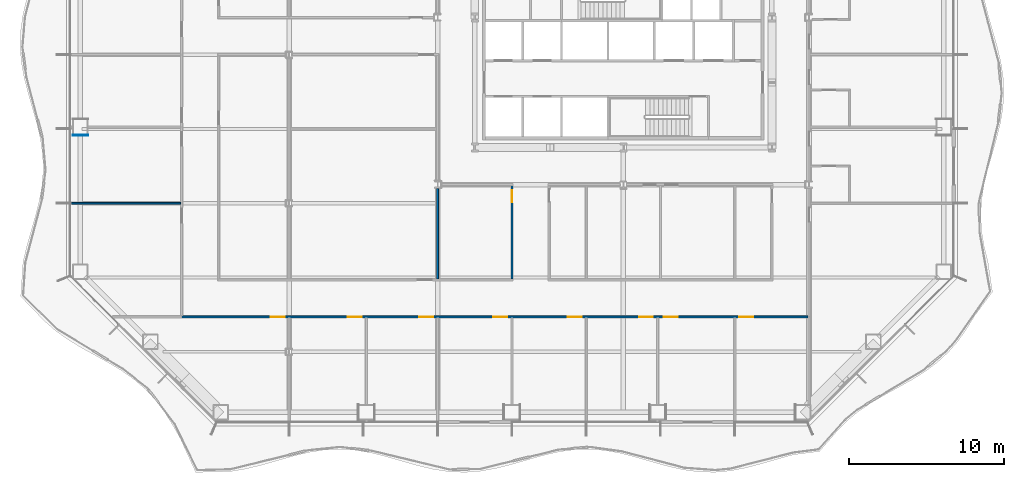
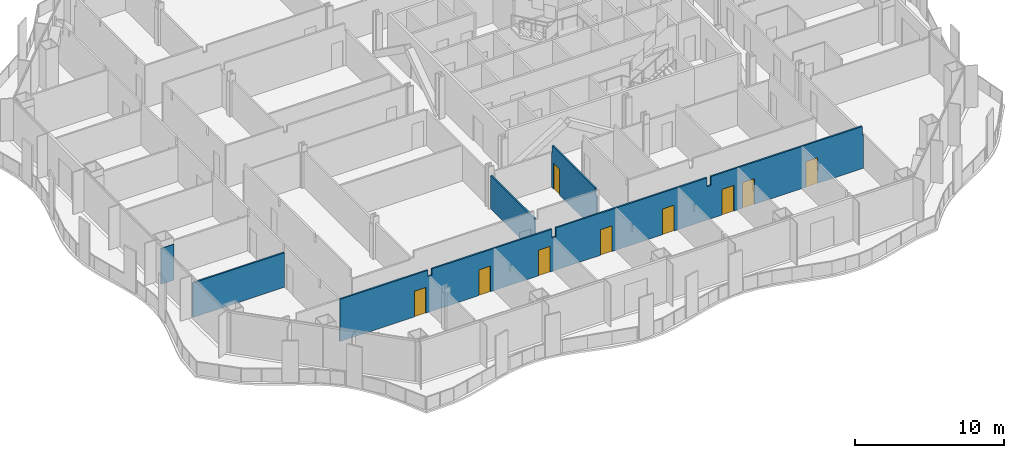
# One storey, part 7 of 20: 9 doors, 5 walls, 9 openings.
"""IFC4 building model written with IfcOpenShell, lengths in metres."""

import ifcopenshell
import ifcopenshell.guid

model = None  # the IFC model being written
_history = None  # IfcOwnerHistory: only IFC2X3 demands one
_inside = {}  # id of a spatial element -> (the spatial element, [elements in it])
_under = {}  # id of a project, library or spatial element -> (it, [spatial elements below it])
_declared = {}  # id of a project -> (the project, [libraries it declares])
_typed = {}  # id of a type object -> (the type object, [elements of that type])
_made_of = {}  # id of a material, layer set ... -> (it, [elements and type objects made of it])


def new_model(schema):
    """Start an empty IFC model of exactly this schema.

    Asked for "IFC4X3", IfcOpenShell would pick the latest addendum, in which some entities
    have other attributes; the version numbers below select the first issue.
    IFC2X3 requires an IfcOwnerHistory on every rooted entity: one is made here for all.
    """
    global model, _history
    if schema == "IFC4X3":
        model = ifcopenshell.file(schema_version=(4, 3, 0, 0))
    else:
        model = ifcopenshell.file(schema=schema)
    _inside.clear()
    _under.clear()
    _declared.clear()
    _typed.clear()
    _made_of.clear()
    _history = None
    if model.schema == "IFC2X3":
        org = make("IfcOrganization", Name="unknown")
        user = make(
            "IfcPersonAndOrganization",
            ThePerson=make("IfcPerson", FamilyName="unknown"),
            TheOrganization=org,
        )
        app = make(
            "IfcApplication",
            ApplicationDeveloper=org,
            Version="unknown",
            ApplicationFullName="unknown",
            ApplicationIdentifier="unknown",
        )
        _history = make(
            "IfcOwnerHistory",
            OwningUser=user,
            OwningApplication=app,
            ChangeAction="ADDED",
            CreationDate=0,
        )
    return model


def make(cls, **values):
    """One entity of the class cls with the attributes given. An attribute that is None is left unset."""
    return model.create_entity(
        cls, **{name: value for name, value in values.items() if value is not None}
    )


def rooted(cls, **values):
    """An entity with a GlobalId (a new one), such as an element, a storey or a relation."""
    return make(cls, GlobalId=ifcopenshell.guid.new(), OwnerHistory=_history, **values)


def si_unit(unit_type, name, prefix=None):
    """IfcSIUnit, for example si_unit("LENGTHUNIT", "METRE", prefix="MILLI")."""
    return make("IfcSIUnit", UnitType=unit_type, Prefix=prefix, Name=name)


def assignment(units):
    """IfcUnitAssignment: the units of a project."""
    return None if units is None else make("IfcUnitAssignment", Units=units)


def point(xyz):
    """IfcCartesianPoint."""
    return None if xyz is None else make("IfcCartesianPoint", Coordinates=xyz)


def direction(xyz):
    """IfcDirection."""
    return None if xyz is None else make("IfcDirection", DirectionRatios=xyz)


def frame(location, z_axis=None, x_axis=None):
    """IfcAxis2Placement3D, a coordinate frame: its origin and axes. An axis left out is left unset."""
    return make(
        "IfcAxis2Placement3D",
        Location=point(location),
        Axis=direction(z_axis),
        RefDirection=direction(x_axis),
    )


def frame_2d(location, x_axis=None):
    """IfcAxis2Placement2D, a coordinate frame in the plane: its origin and x axis."""
    return make(
        "IfcAxis2Placement2D", Location=point(location), RefDirection=direction(x_axis)
    )


def origin():
    """The frame at (0, 0, 0) with its axes left unset."""
    return frame((0.0, 0.0, 0.0))


def place(relative_to, where):
    """IfcLocalPlacement: puts the frame where relative to a parent placement (None: the world)."""
    return make(
        "IfcLocalPlacement", PlacementRelTo=relative_to, RelativePlacement=where
    )


def context(
    kind, dimensions, precision=None, world=None, true_north=None, identifier=None
):
    """IfcGeometricRepresentationContext, for example the 3D "Model" context."""
    return make(
        "IfcGeometricRepresentationContext",
        ContextIdentifier=identifier,
        ContextType=kind,
        CoordinateSpaceDimension=dimensions,
        Precision=precision,
        WorldCoordinateSystem=world,
        TrueNorth=true_north,
    )


def subcontext(parent, identifier, kind, view, scale=None):
    """IfcGeometricRepresentationSubContext, for example "Body" below "Model"."""
    return make(
        "IfcGeometricRepresentationSubContext",
        ContextIdentifier=identifier,
        ContextType=kind,
        ParentContext=parent,
        TargetScale=scale,
        TargetView=view,
    )


def project(units=None, contexts=None):
    """IfcProject with its units and contexts."""
    return rooted(
        "IfcProject",
        Name="project",
        RepresentationContexts=contexts,
        UnitsInContext=assignment(units),
    )


def spatial(cls, under=None, at=None, **own):
    """A site, building, storey or space (cls), placed at a placement, below another one or the project."""
    s = rooted(cls, ObjectPlacement=at, **own)
    if under is not None:
        _under.setdefault(under.id(), (under, []))[1].append(s)
    return s


def polyline(points):
    """IfcPolyline through the points."""
    return make("IfcPolyline", Points=[point(p) for p in points])


def profile(cls, at=None, kind="AREA", **sizes):
    """A parametric profile (cls). Its sizes go by their IFC names, for example OverallWidth=200.0."""
    return make(cls, ProfileType=kind, Position=at, **sizes)


def rectangle(**sizes):
    """IfcRectangleProfileDef."""
    return profile("IfcRectangleProfileDef", **sizes)


def outline(outer, holes=None, kind="AREA"):
    """IfcArbitraryClosedProfileDef: a profile drawn as a closed curve; with holes, ...WithVoids."""
    if holes is None:
        return make("IfcArbitraryClosedProfileDef", ProfileType=kind, OuterCurve=outer)
    return make(
        "IfcArbitraryProfileDefWithVoids",
        ProfileType=kind,
        OuterCurve=outer,
        InnerCurves=holes,
    )


def extrude(swept, where, along, depth):
    """IfcExtrudedAreaSolid: the profile swept, set in the frame where, extruded along a direction by depth."""
    return make(
        "IfcExtrudedAreaSolid",
        SweptArea=swept,
        Position=where,
        ExtrudedDirection=direction(along),
        Depth=depth,
    )


def shape(context_of_items, identifier, shape_type, items):
    """IfcShapeRepresentation: the items that make up one representation, for example the "Body"."""
    return make(
        "IfcShapeRepresentation",
        ContextOfItems=context_of_items,
        RepresentationIdentifier=identifier,
        RepresentationType=shape_type,
        Items=items,
    )


def material(Name=None, Category=None):
    """IfcMaterial."""
    return make("IfcMaterial", Name=Name, Category=Category)


def layer(
    of_material, thickness, ventilated=None, Name=None, Category=None, Priority=None
):
    """IfcMaterialLayer: one layer of a wall or slab, of a material (None: an air gap)."""
    return make(
        "IfcMaterialLayer",
        Material=of_material,
        LayerThickness=thickness,
        IsVentilated=ventilated,
        Name=Name,
        Category=Category,
        Priority=Priority,
    )


def layer_set(layers, Name=None):
    """IfcMaterialLayerSet."""
    return make("IfcMaterialLayerSet", MaterialLayers=layers, LayerSetName=Name)


def made_of(thing, what):
    """Note that an element or type object is made of a material, layer set ...; save() writes the relation."""
    if what is not None:
        _made_of.setdefault(what.id(), (what, []))[1].append(thing)
    return thing


def type_object(cls, material=None, **own):
    """A type object (cls), such as IfcWallType, which elements share."""
    return made_of(rooted(cls, **own), material)


def element(
    cls,
    number,
    at=None,
    inside=None,
    cuts=None,
    type_object=None,
    material=None,
    context=None,
    identifier="Body",
    shape_type=None,
    held_by="IfcProductDefinitionShape",
    body=None,
    shapes=None,
    **own,
):
    """One element of the class cls, such as IfcWall. Its Tag is "e" and its number.

    at: its placement. inside: the storey or other place that contains it. cuts: it is an
    opening in that element (IfcRelVoidsElement). A single representation is given by context,
    identifier, shape_type and body (its items); several are given by shapes. held_by: the class
    of the entity that holds the representations. save() writes the other relations.
    """
    e = rooted(cls, Tag="e%d" % number, ObjectPlacement=at, **own)
    if body is not None:
        shapes = [shape(context, identifier, shape_type, body)]
    if shapes is not None:
        e.Representation = make(held_by, Representations=shapes)
    if inside is not None:
        _inside.setdefault(inside.id(), (inside, []))[1].append(e)
    if cuts is not None:
        rooted(
            "IfcRelVoidsElement", RelatingBuildingElement=cuts, RelatedOpeningElement=e
        )
    if type_object is not None:
        _typed.setdefault(type_object.id(), (type_object, []))[1].append(e)
    return made_of(e, material)


def fill(opening, filler):
    """IfcRelFillsElement: the door or window that sits in an opening."""
    return rooted(
        "IfcRelFillsElement",
        RelatingOpeningElement=opening,
        RelatedBuildingElement=filler,
    )


def aggregate(whole, parts):
    """IfcRelAggregates: a whole, such as a stair, and the parts it consists of."""
    return rooted("IfcRelAggregates", RelatingObject=whole, RelatedObjects=parts)


def save(model, path):
    """Write the relations noted so far, then the file.

    IfcRelAggregates (storeys below a building ...), IfcRelContainedInSpatialStructure (elements
    in a storey), IfcRelDefinesByType, IfcRelAssociatesMaterial and IfcRelDeclares: one each for
    every whole, place, type object, material and project.
    """
    for whole, parts in _under.values():
        aggregate(whole, parts)
    for where, things in _inside.values():
        rooted(
            "IfcRelContainedInSpatialStructure",
            RelatedElements=things,
            RelatingStructure=where,
        )
    for kind, things in _typed.values():
        rooted("IfcRelDefinesByType", RelatedObjects=things, RelatingType=kind)
    for what, things in _made_of.values():
        rooted("IfcRelAssociatesMaterial", RelatedObjects=things, RelatingMaterial=what)
    for by, libraries in _declared.values():
        rooted("IfcRelDeclares", RelatingContext=by, RelatedDefinitions=libraries)
    model.write(path)


model = new_model("IFC4")

# Units and contexts
model_context = context("Model", 3, precision=1e-05, world=origin(), true_north=direction((0.0, 1.0)))
body_context = subcontext(model_context, "Body", "Model", "MODEL_VIEW")
ifc_project = project(units=[si_unit("LENGTHUNIT", "METRE"), si_unit("AREAUNIT", "SQUARE_METRE"), si_unit("VOLUMEUNIT", "CUBIC_METRE"), si_unit("PLANEANGLEUNIT", "RADIAN"), si_unit("MASSUNIT", "GRAM", prefix="KILO")], contexts=[model_context])

# Site, building, storey
site_placement = place(None, origin())
site = spatial("IfcSite", under=ifc_project, at=site_placement, CompositionType="ELEMENT")
building_placement = place(site_placement, origin())
building = spatial("IfcBuilding", under=site, at=building_placement, Name="Cairn Pilgrim Tower", CompositionType="ELEMENT")
storey_placement = place(building_placement, frame((0.0, 0.0, 51.0)))
storey = spatial("IfcBuildingStorey", under=building, at=storey_placement, Name="L10", CompositionType="ELEMENT", Elevation=51.0)

# Wall, openings, doors
ifc_material_1 = material(Name="Gypsum partition")
ifc_layer_1 = layer(ifc_material_1, 0.125)
ifc_layer_set_1 = layer_set([ifc_layer_1], Name="PARTITION 125 DRYWALL EI 60")
wall_type_1 = type_object("IfcWallType", Name="PARTITION 125 DRYWALL EI 60", PredefinedType="PARTITIONING", material=ifc_layer_set_1)
wall_1_placement = place(storey_placement, frame((-21.35009765625, -16.949951171875, 0.0), z_axis=(0.0, 0.0, 1.0), x_axis=(1.0, 0.0, 0.0)))
wall_1 = element("IfcWall", 1, at=wall_1_placement, inside=storey, type_object=wall_type_1, Name="PARTITION W013", PredefinedType="PARTITIONING", context=body_context, shape_type="SweptSolid", body=[
    extrude(outline(polyline([(0.0, 0.0), (40.487548828125, 0.0), (40.487548828125, 2.72998046875), (40.39990234375, 2.72998046875), (40.39794921875, 3.449951171875), (28.699951171875, 3.449951171875), (28.697998046875, 2.72998046875), (28.39990234375, 2.72998046875), (28.39794921875, 3.449951171875), (16.699951171875, 3.449951171875), (16.697998046875, 2.72998046875), (16.39990234375, 2.72998046875), (16.39794921875, 3.449951171875), (7.10009765625, 3.449951171875), (7.097900390625, 2.929931640625), (6.800048828125, 2.929931640625), (6.798095703125, 3.449951171875), (0.0, 3.449951171875), (0.0, 0.0)])), frame((0.0, 0.0625, 0.0), z_axis=(0.0, -1.0, 0.0), x_axis=(1.0, 0.0, 0.0)), (0.0, 0.0, 1.0), 0.125),
])
opening_1_placement = place(wall_1_placement, frame((5.75, 0.0, 0.0)))
opening_1 = element("IfcOpeningElement", 2, at=opening_1_placement, cuts=wall_1, Name="Opening 1001", PredefinedType="OPENING", context=body_context, shape_type="SweptSolid", body=[
    extrude(rectangle(XDim=0.89990234375, YDim=2.10009765625, at=frame_2d((0.449951171875, 1.050048828125))), frame((0.0, 0.072509765625, 0.0), z_axis=(0.0, -1.0, 0.0), x_axis=(1.0, 0.0, 0.0)), (0.0, 0.0, 1.0), 0.14501953125),
])
opening_2_placement = place(wall_1_placement, frame((10.736083984375, 0.0, 0.0)))
opening_2 = element("IfcOpeningElement", 3, at=opening_2_placement, cuts=wall_1, Name="Opening 1002", PredefinedType="OPENING", context=body_context, shape_type="SweptSolid", body=[
    extrude(rectangle(XDim=0.89990234375, YDim=2.10009765625, at=frame_2d((0.449951171875, 1.050048828125))), frame((0.0, 0.072509765625, 0.0), z_axis=(0.0, -1.0, 0.0), x_axis=(1.0, 0.0, 0.0)), (0.0, 0.0, 1.0), 0.14501953125),
])
opening_3_placement = place(wall_1_placement, frame((15.35009765625, 0.0, 0.0)))
opening_3 = element("IfcOpeningElement", 4, at=opening_3_placement, cuts=wall_1, Name="Opening 1003", PredefinedType="OPENING", context=body_context, shape_type="SweptSolid", body=[
    extrude(rectangle(XDim=0.89990234375, YDim=2.10009765625, at=frame_2d((0.449951171875, 1.050048828125))), frame((0.0, 0.072509765625, 0.0), z_axis=(0.0, -1.0, 0.0), x_axis=(1.0, 0.0, 0.0)), (0.0, 0.0, 1.0), 0.14501953125),
])
opening_4_placement = place(wall_1_placement, frame((20.14990234375, 0.0, 0.0)))
opening_4 = element("IfcOpeningElement", 5, at=opening_4_placement, cuts=wall_1, Name="Opening 1004", PredefinedType="OPENING", context=body_context, shape_type="SweptSolid", body=[
    extrude(rectangle(XDim=0.89990234375, YDim=2.10009765625, at=frame_2d((0.449951171875, 1.050048828125))), frame((0.0, 0.072509765625, 0.0), z_axis=(0.0, -1.0, 0.0), x_axis=(1.0, 0.0, 0.0)), (0.0, 0.0, 1.0), 0.14501953125),
])
opening_5_placement = place(wall_1_placement, frame((24.949951171875, 0.0, 0.0)))
opening_5 = element("IfcOpeningElement", 6, at=opening_5_placement, cuts=wall_1, Name="Opening 1005", PredefinedType="OPENING", context=body_context, shape_type="SweptSolid", body=[
    extrude(rectangle(XDim=0.89990234375, YDim=2.10009765625, at=frame_2d((0.449951171875, 1.050048828125))), frame((0.0, 0.072509765625, 0.0), z_axis=(0.0, -1.0, 0.0), x_axis=(1.0, 0.0, 0.0)), (0.0, 0.0, 1.0), 0.14501953125),
])
opening_6_placement = place(wall_1_placement, frame((29.56396484375, 0.0, 0.0)))
opening_6 = element("IfcOpeningElement", 7, at=opening_6_placement, cuts=wall_1, Name="Opening 1006", PredefinedType="OPENING", context=body_context, shape_type="SweptSolid", body=[
    extrude(rectangle(XDim=0.89990234375, YDim=2.10009765625, at=frame_2d((0.449951171875, 1.050048828125))), frame((0.0, 0.072509765625, 0.0), z_axis=(0.0, -1.0, 0.0), x_axis=(1.0, 0.0, 0.0)), (0.0, 0.0, 1.0), 0.14501953125),
])
opening_7_placement = place(wall_1_placement, frame((31.14990234375, 0.0, 0.0)))
opening_7 = element("IfcOpeningElement", 8, at=opening_7_placement, cuts=wall_1, Name="Opening 1007", PredefinedType="OPENING", context=body_context, shape_type="SweptSolid", body=[
    extrude(rectangle(XDim=0.89990234375, YDim=2.10009765625, at=frame_2d((0.449951171875, 1.050048828125))), frame((0.0, 0.072509765625, 0.0), z_axis=(0.0, -1.0, 0.0), x_axis=(1.0, 0.0, 0.0)), (0.0, 0.0, 1.0), 0.14501953125),
])
opening_8_placement = place(wall_1_placement, frame((36.050048828125, 0.0, 0.0)))
opening_8 = element("IfcOpeningElement", 9, at=opening_8_placement, cuts=wall_1, Name="Opening 1008", PredefinedType="OPENING", context=body_context, shape_type="SweptSolid", body=[
    extrude(rectangle(XDim=0.89990234375, YDim=2.10009765625, at=frame_2d((0.449951171875, 1.050048828125))), frame((0.0, 0.072509765625, 0.0), z_axis=(0.0, -1.0, 0.0), x_axis=(1.0, 0.0, 0.0)), (0.0, 0.0, 1.0), 0.14501953125),
])
ifc_material_2 = material(Name="Steel-faced fire door leaf", Category="steel")
door_type_1 = type_object("IfcDoorType", Name="FIRE DOOR 900x2100 FD30S", OperationType="NOTDEFINED", PredefinedType="DOOR", material=ifc_material_2)
door_1_placement = place(opening_1_placement, frame((0.89990234375, 0.0, 0.0), z_axis=(0.0, 0.0, 1.0), x_axis=(-1.0, 0.0, 0.0)))
door_1 = element("IfcDoor", 10, at=door_1_placement, inside=storey, type_object=door_type_1, Name="DOOR 1001", OperationType="SINGLE_SWING_RIGHT", OverallHeight=2.10009765625, OverallWidth=0.89990234375, PredefinedType="DOOR", context=body_context, shape_type="SweptSolid", body=[
    extrude(rectangle(XDim=0.89990234375, YDim=2.10009765625, at=frame_2d((0.449951171875, 1.050048828125))), frame((0.0, 0.02490234375, 0.0), z_axis=(0.0, -1.0, 0.0), x_axis=(1.0, 0.0, 0.0)), (0.0, 0.0, 1.0), 0.050048828125),
])
fill(opening_1, door_1)
door_2_placement = place(opening_2_placement, frame((0.89990234375, 0.0, 0.0), z_axis=(0.0, 0.0, 1.0), x_axis=(-1.0, 0.0, 0.0)))
door_2 = element("IfcDoor", 11, at=door_2_placement, inside=storey, type_object=door_type_1, Name="DOOR 1002", OperationType="SINGLE_SWING_LEFT", OverallHeight=2.10009765625, OverallWidth=0.89990234375, PredefinedType="DOOR", context=body_context, shape_type="SweptSolid", body=[
    extrude(rectangle(XDim=0.89990234375, YDim=2.10009765625, at=frame_2d((0.449951171875, 1.050048828125))), frame((0.0, 0.02490234375, 0.0), z_axis=(0.0, -1.0, 0.0), x_axis=(1.0, 0.0, 0.0)), (0.0, 0.0, 1.0), 0.050048828125),
])
fill(opening_2, door_2)
door_3_placement = place(opening_3_placement, frame((0.89990234375, 0.0, 0.0), z_axis=(0.0, 0.0, 1.0), x_axis=(-1.0, 0.0, 0.0)))
door_3 = element("IfcDoor", 12, at=door_3_placement, inside=storey, type_object=door_type_1, Name="DOOR 1003", OperationType="SINGLE_SWING_RIGHT", OverallHeight=2.10009765625, OverallWidth=0.89990234375, PredefinedType="DOOR", context=body_context, shape_type="SweptSolid", body=[
    extrude(rectangle(XDim=0.89990234375, YDim=2.10009765625, at=frame_2d((0.449951171875, 1.050048828125))), frame((0.0, 0.02490234375, 0.0), z_axis=(0.0, -1.0, 0.0), x_axis=(1.0, 0.0, 0.0)), (0.0, 0.0, 1.0), 0.050048828125),
])
fill(opening_3, door_3)
door_4_placement = place(opening_4_placement, frame((0.89990234375, 0.0, 0.0), z_axis=(0.0, 0.0, 1.0), x_axis=(-1.0, 0.0, 0.0)))
door_4 = element("IfcDoor", 13, at=door_4_placement, inside=storey, type_object=door_type_1, Name="DOOR 1004", OperationType="SINGLE_SWING_LEFT", OverallHeight=2.10009765625, OverallWidth=0.89990234375, PredefinedType="DOOR", context=body_context, shape_type="SweptSolid", body=[
    extrude(rectangle(XDim=0.89990234375, YDim=2.10009765625, at=frame_2d((0.449951171875, 1.050048828125))), frame((0.0, 0.02490234375, 0.0), z_axis=(0.0, -1.0, 0.0), x_axis=(1.0, 0.0, 0.0)), (0.0, 0.0, 1.0), 0.050048828125),
])
fill(opening_4, door_4)
door_5_placement = place(opening_5_placement, frame((0.89990234375, 0.0, 0.0), z_axis=(0.0, 0.0, 1.0), x_axis=(-1.0, 0.0, 0.0)))
door_5 = element("IfcDoor", 14, at=door_5_placement, inside=storey, type_object=door_type_1, Name="DOOR 1005", OperationType="SINGLE_SWING_RIGHT", OverallHeight=2.10009765625, OverallWidth=0.89990234375, PredefinedType="DOOR", context=body_context, shape_type="SweptSolid", body=[
    extrude(rectangle(XDim=0.89990234375, YDim=2.10009765625, at=frame_2d((0.449951171875, 1.050048828125))), frame((0.0, 0.02490234375, 0.0), z_axis=(0.0, -1.0, 0.0), x_axis=(1.0, 0.0, 0.0)), (0.0, 0.0, 1.0), 0.050048828125),
])
fill(opening_5, door_5)
door_6_placement = place(opening_6_placement, frame((0.89990234375, 0.0, 0.0), z_axis=(0.0, 0.0, 1.0), x_axis=(-1.0, 0.0, 0.0)))
door_6 = element("IfcDoor", 15, at=door_6_placement, inside=storey, type_object=door_type_1, Name="DOOR 1006", OperationType="SINGLE_SWING_LEFT", OverallHeight=2.10009765625, OverallWidth=0.89990234375, PredefinedType="DOOR", context=body_context, shape_type="SweptSolid", body=[
    extrude(rectangle(XDim=0.89990234375, YDim=2.10009765625, at=frame_2d((0.449951171875, 1.050048828125))), frame((0.0, 0.02490234375, 0.0), z_axis=(0.0, -1.0, 0.0), x_axis=(1.0, 0.0, 0.0)), (0.0, 0.0, 1.0), 0.050048828125),
])
fill(opening_6, door_6)
door_7_placement = place(opening_7_placement, frame((0.89990234375, 0.0, 0.0), z_axis=(0.0, 0.0, 1.0), x_axis=(-1.0, 0.0, 0.0)))
door_7 = element("IfcDoor", 16, at=door_7_placement, inside=storey, type_object=door_type_1, Name="DOOR 1007", OperationType="SINGLE_SWING_RIGHT", OverallHeight=2.10009765625, OverallWidth=0.89990234375, PredefinedType="DOOR", context=body_context, shape_type="SweptSolid", body=[
    extrude(rectangle(XDim=0.89990234375, YDim=2.10009765625, at=frame_2d((0.449951171875, 1.050048828125))), frame((0.0, 0.02490234375, 0.0), z_axis=(0.0, -1.0, 0.0), x_axis=(1.0, 0.0, 0.0)), (0.0, 0.0, 1.0), 0.050048828125),
])
fill(opening_7, door_7)
door_8_placement = place(opening_8_placement, frame((0.89990234375, 0.0, 0.0), z_axis=(0.0, 0.0, 1.0), x_axis=(-1.0, 0.0, 0.0)))
door_8 = element("IfcDoor", 17, at=door_8_placement, inside=storey, type_object=door_type_1, Name="DOOR 1008", OperationType="SINGLE_SWING_LEFT", OverallHeight=2.10009765625, OverallWidth=0.89990234375, PredefinedType="DOOR", context=body_context, shape_type="SweptSolid", body=[
    extrude(rectangle(XDim=0.89990234375, YDim=2.10009765625, at=frame_2d((0.449951171875, 1.050048828125))), frame((0.0, 0.02490234375, 0.0), z_axis=(0.0, -1.0, 0.0), x_axis=(1.0, 0.0, 0.0)), (0.0, 0.0, 1.0), 0.050048828125),
])
fill(opening_8, door_8)

# Wall
wall_2_placement = place(storey_placement, frame((-4.800048828125, -14.487548828125, 0.0), z_axis=(0.0, 0.0, 1.0), x_axis=(0.0, 1.0, 0.0)))
element("IfcWall", 18, at=wall_2_placement, inside=storey, type_object=wall_type_1, Name="PARTITION W020", PredefinedType="PARTITIONING", context=body_context, shape_type="SweptSolid", body=[
    extrude(rectangle(XDim=5.8505859375, YDim=0.125, at=frame_2d((2.92529296875, 0.0))), origin(), (0.0, 0.0, 1.0), 2.72998046875),
])

# Wall, opening, door
wall_3_placement = place(storey_placement, frame((0.0, -14.487548828125, 0.0), z_axis=(0.0, 0.0, 1.0), x_axis=(0.0, 1.0, 0.0)))
wall_3 = element("IfcWall", 19, at=wall_3_placement, inside=storey, type_object=wall_type_1, Name="PARTITION W021", PredefinedType="PARTITIONING", context=body_context, shape_type="SweptSolid", body=[
    extrude(outline(polyline([(0.0, 0.0), (6.025146484375, 0.0), (6.02490234375, 2.830078125), (5.9375, 2.830078125), (5.935546875, 3.449951171875), (0.1923828125, 3.449951171875), (0.1904296875, 2.8798828125), (0.0, 2.8798828125), (0.0, 0.0)])), frame((0.0, 0.0625, 0.0), z_axis=(0.0, -1.0, 0.0), x_axis=(1.0, 0.0, 0.0)), (0.0, 0.0, 1.0), 0.125),
])
opening_9_placement = place(wall_3_placement, frame((4.9375, 0.0, 0.0)))
opening_9 = element("IfcOpeningElement", 20, at=opening_9_placement, cuts=wall_3, Name="Opening 1034", PredefinedType="OPENING", context=body_context, shape_type="SweptSolid", body=[
    extrude(rectangle(XDim=0.800048828125, YDim=2.10009765625, at=frame_2d((0.39990234375, 1.050048828125))), frame((0.0, 0.072509765625, 0.0), z_axis=(0.0, -1.0, 0.0), x_axis=(1.0, 0.0, 0.0)), (0.0, 0.0, 1.0), 0.14501953125),
])
door_type_2 = type_object("IfcDoorType", Name="FIRE DOOR 800x2100 FD30S", OperationType="NOTDEFINED", PredefinedType="DOOR", material=ifc_material_2)
door_9_placement = place(opening_9_placement, origin())
door_9 = element("IfcDoor", 21, at=door_9_placement, inside=storey, type_object=door_type_2, Name="DOOR 1034", OperationType="SINGLE_SWING_LEFT", OverallHeight=2.10009765625, OverallWidth=0.800048828125, PredefinedType="DOOR", context=body_context, shape_type="SweptSolid", body=[
    extrude(rectangle(XDim=0.800048828125, YDim=2.10009765625, at=frame_2d((0.39990234375, 1.050048828125))), frame((0.0, 0.02490234375, 0.0), z_axis=(0.0, -1.0, 0.0), x_axis=(1.0, 0.0, 0.0)), (0.0, 0.0, 1.0), 0.050048828125),
])
fill(opening_9, door_9)

# Walls
wall_4_placement = place(storey_placement, frame((-28.489990234375, -9.60009765625, 0.0), z_axis=(0.0, 0.0, 1.0), x_axis=(1.0, 0.0, 0.0)))
element("IfcWall", 22, at=wall_4_placement, inside=storey, type_object=wall_type_1, Name="PARTITION W027", PredefinedType="PARTITIONING", context=body_context, shape_type="SweptSolid", body=[
    extrude(rectangle(XDim=7.077392578125, YDim=0.125, at=frame_2d((3.53857421875, 0.0))), origin(), (0.0, 0.0, 1.0), 2.830078125),
])
ifc_layer_2 = layer(ifc_material_1, 0.050048828125)
ifc_layer_set_2 = layer_set([ifc_layer_2], Name="PARTITION 50 DRYWALL EI 60")
wall_type_2 = type_object("IfcWallType", Name="PARTITION 50 DRYWALL EI 60", PredefinedType="PARTITIONING", material=ifc_layer_set_2)
wall_5_placement = place(storey_placement, frame((-28.39990234375, -5.20068359375, 0.0), z_axis=(0.0, 0.0, 1.0), x_axis=(1.0, 0.0, 0.0)))
element("IfcWall", 23, at=wall_5_placement, inside=storey, type_object=wall_type_2, Name="COLUMN CASING WC18", PredefinedType="PARTITIONING", context=body_context, shape_type="SweptSolid", body=[
    extrude(rectangle(XDim=1.0, YDim=0.050048828125, at=frame_2d((0.5, 0.0))), origin(), (0.0, 0.0, 1.0), 2.929931640625),
])

save(model, "model.ifc")
